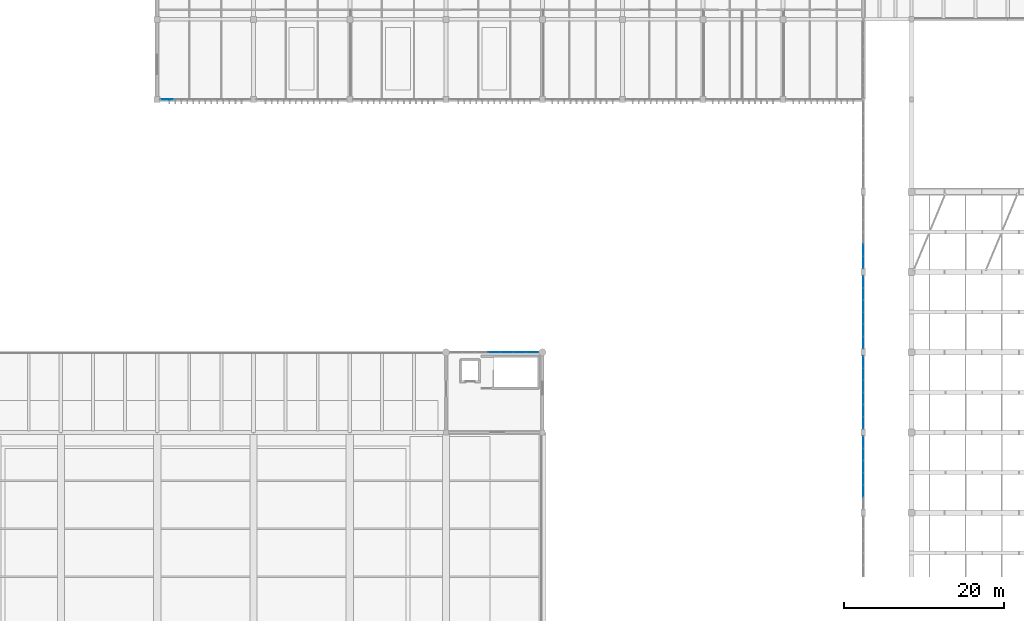
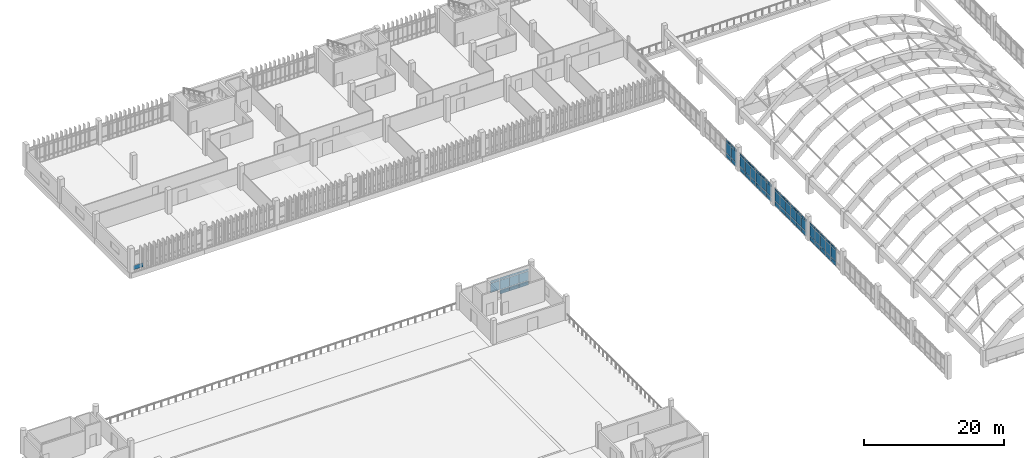
# One storey, part 92 of 111: 69 plates, 6 elements without a shape of their own.
"""IFC4 building model written with IfcOpenShell, lengths in metres."""

from ifc_helpers import new_model, si_unit, direction, frame, origin, origin_2d, place, context, subcontext, project, spatial, rectangle, extrude, material, layer, layer_set, type_object, element, aggregate, save


model = new_model("IFC4")

# Units and contexts
model_context = context("Model", 3, precision=1e-05, world=origin(), true_north=direction((0.0, 1.0)))
body_context = subcontext(model_context, "Body", "Model", "MODEL_VIEW")
ifc_project = project(units=[si_unit("LENGTHUNIT", "METRE"), si_unit("AREAUNIT", "SQUARE_METRE"), si_unit("VOLUMEUNIT", "CUBIC_METRE"), si_unit("PLANEANGLEUNIT", "RADIAN"), si_unit("MASSUNIT", "GRAM", prefix="KILO")], contexts=[model_context])

# Site, building, storey
site_placement = place(None, origin())
site = spatial("IfcSite", under=ifc_project, at=site_placement, CompositionType="ELEMENT")
building_placement = place(site_placement, origin())
building = spatial("IfcBuilding", under=site, at=building_placement, Name="Mersad Railyard Sports Hall", CompositionType="ELEMENT")
storey_placement = place(building_placement, frame((0.0, 0.0, 9.0)))
storey = spatial("IfcBuildingStorey", under=building, at=storey_placement, Name="L02", CompositionType="ELEMENT", Elevation=9.0)

# Curtain wall, plates
ifc_material_1 = material(Name="Aluminium 6063-T6", Category="aluminium")
ifc_layer_1 = layer(ifc_material_1, 0.159912109375)
ifc_layer_set_1 = layer_set([ifc_layer_1], Name="Aluminium 6063-T6")
curtain_wall_type_1 = type_object("IfcCurtainWallType", Name="ARC-CW-CW06", PredefinedType="USERDEFINED", material=ifc_layer_set_1)
curtain_wall_1_placement = place(storey_placement, origin())
curtain_wall_1 = element("IfcCurtainWall", 1, at=curtain_wall_1_placement, inside=storey, type_object=curtain_wall_type_1, Name="Curtain wall CW06-0032", ObjectType="CURTAIN WALL", PredefinedType="USERDEFINED")
ifc_material_2 = material(Name="Solar-control glass", Category="glass")
ifc_layer_2 = layer(ifc_material_2, 0.028076171875)
ifc_layer_set_2 = layer_set([ifc_layer_2], Name="Solar-control glass")
plate_type = type_object("IfcPlateType", Name="ARC-CW-PNL01", PredefinedType="CURTAIN_PANEL", material=ifc_layer_set_2)
plate_1_placement = place(storey_placement, frame((85.0, 53.5, 0.89501953125), z_axis=(0.0, 0.0, 1.0), x_axis=(1.0, 0.0, 0.0)))
plate_1 = element("IfcPlate", 2, at=plate_1_placement, type_object=plate_type, Name="CW06 Glazed panel 4-2", PredefinedType="CURTAIN_PANEL", context=body_context, shape_type="SweptSolid", body=[
    extrude(rectangle(XDim=1.535888671875, YDim=0.028076171875, at=origin_2d()), origin(), (0.0, 0.0, 1.0), 1.610107421875),
])
plate_2_placement = place(storey_placement, frame((85.0, 53.5, 2.594970703125), z_axis=(0.0, 0.0, 1.0), x_axis=(1.0, 0.0, 0.0)))
plate_2 = element("IfcPlate", 3, at=plate_2_placement, type_object=plate_type, Name="CW06 Glazed panel 4-3", PredefinedType="CURTAIN_PANEL", context=body_context, shape_type="SweptSolid", body=[
    extrude(rectangle(XDim=1.535888671875, YDim=0.028076171875, at=origin_2d()), origin(), (0.0, 0.0, 1.0), 0.35009765625),
])
plate_3_placement = place(storey_placement, frame((86.580078125, 53.5, 0.0849609375), z_axis=(0.0, 0.0, 1.0), x_axis=(1.0, 0.0, 0.0)))
plate_3 = element("IfcPlate", 4, at=plate_3_placement, type_object=plate_type, Name="CW06 Glazed panel 5-1", PredefinedType="CURTAIN_PANEL", context=body_context, shape_type="SweptSolid", body=[
    extrude(rectangle(XDim=1.535888671875, YDim=0.028076171875, at=origin_2d()), origin(), (0.0, 0.0, 1.0), 0.719970703125),
])
plate_4_placement = place(storey_placement, frame((86.580078125, 53.5, 0.89501953125), z_axis=(0.0, 0.0, 1.0), x_axis=(1.0, 0.0, 0.0)))
plate_4 = element("IfcPlate", 5, at=plate_4_placement, type_object=plate_type, Name="CW06 Glazed panel 5-2", PredefinedType="CURTAIN_PANEL", context=body_context, shape_type="SweptSolid", body=[
    extrude(rectangle(XDim=1.535888671875, YDim=0.028076171875, at=origin_2d()), origin(), (0.0, 0.0, 1.0), 1.610107421875),
])
plate_5_placement = place(storey_placement, frame((86.580078125, 53.5, 2.594970703125), z_axis=(0.0, 0.0, 1.0), x_axis=(1.0, 0.0, 0.0)))
plate_5 = element("IfcPlate", 6, at=plate_5_placement, type_object=plate_type, Name="CW06 Glazed panel 5-3", PredefinedType="CURTAIN_PANEL", context=body_context, shape_type="SweptSolid", body=[
    extrude(rectangle(XDim=1.535888671875, YDim=0.028076171875, at=origin_2d()), origin(), (0.0, 0.0, 1.0), 0.35009765625),
])
plate_6_placement = place(storey_placement, frame((88.159912109375, 53.5, 0.0849609375), z_axis=(0.0, 0.0, 1.0), x_axis=(1.0, 0.0, 0.0)))
plate_6 = element("IfcPlate", 7, at=plate_6_placement, type_object=plate_type, Name="CW06 Glazed panel 6-1", PredefinedType="CURTAIN_PANEL", context=body_context, shape_type="SweptSolid", body=[
    extrude(rectangle(XDim=1.535888671875, YDim=0.028076171875, at=origin_2d()), origin(), (0.0, 0.0, 1.0), 0.719970703125),
])
plate_7_placement = place(storey_placement, frame((88.159912109375, 53.5, 0.89501953125), z_axis=(0.0, 0.0, 1.0), x_axis=(1.0, 0.0, 0.0)))
plate_7 = element("IfcPlate", 8, at=plate_7_placement, type_object=plate_type, Name="CW06 Glazed panel 6-2", PredefinedType="CURTAIN_PANEL", context=body_context, shape_type="SweptSolid", body=[
    extrude(rectangle(XDim=1.535888671875, YDim=0.028076171875, at=origin_2d()), origin(), (0.0, 0.0, 1.0), 1.610107421875),
])
plate_8_placement = place(storey_placement, frame((88.159912109375, 53.5, 2.594970703125), z_axis=(0.0, 0.0, 1.0), x_axis=(1.0, 0.0, 0.0)))
plate_8 = element("IfcPlate", 9, at=plate_8_placement, type_object=plate_type, Name="CW06 Glazed panel 6-3", PredefinedType="CURTAIN_PANEL", context=body_context, shape_type="SweptSolid", body=[
    extrude(rectangle(XDim=1.535888671875, YDim=0.028076171875, at=origin_2d()), origin(), (0.0, 0.0, 1.0), 0.35009765625),
])
plate_9_placement = place(storey_placement, frame((89.739990234375, 53.5, 0.0849609375), z_axis=(0.0, 0.0, 1.0), x_axis=(1.0, 0.0, 0.0)))
plate_9 = element("IfcPlate", 10, at=plate_9_placement, type_object=plate_type, Name="CW06 Glazed panel 7-1", PredefinedType="CURTAIN_PANEL", context=body_context, shape_type="SweptSolid", body=[
    extrude(rectangle(XDim=1.535888671875, YDim=0.028076171875, at=origin_2d()), origin(), (0.0, 0.0, 1.0), 0.719970703125),
])
plate_10_placement = place(storey_placement, frame((89.739990234375, 53.5, 0.89501953125), z_axis=(0.0, 0.0, 1.0), x_axis=(1.0, 0.0, 0.0)))
plate_10 = element("IfcPlate", 11, at=plate_10_placement, type_object=plate_type, Name="CW06 Glazed panel 7-2", PredefinedType="CURTAIN_PANEL", context=body_context, shape_type="SweptSolid", body=[
    extrude(rectangle(XDim=1.535888671875, YDim=0.028076171875, at=origin_2d()), origin(), (0.0, 0.0, 1.0), 1.610107421875),
])
plate_11_placement = place(storey_placement, frame((89.739990234375, 53.5, 2.594970703125), z_axis=(0.0, 0.0, 1.0), x_axis=(1.0, 0.0, 0.0)))
plate_11 = element("IfcPlate", 12, at=plate_11_placement, type_object=plate_type, Name="CW06 Glazed panel 7-3", PredefinedType="CURTAIN_PANEL", context=body_context, shape_type="SweptSolid", body=[
    extrude(rectangle(XDim=1.535888671875, YDim=0.028076171875, at=origin_2d()), origin(), (0.0, 0.0, 1.0), 0.35009765625),
])
aggregate(curtain_wall_1, [plate_1, plate_2, plate_3, plate_4, plate_5, plate_6, plate_7, plate_8, plate_9, plate_10, plate_11])

ifc_layer_3 = layer(ifc_material_1, 0.159912109375)
ifc_layer_set_3 = layer_set([ifc_layer_3], Name="Aluminium 6063-T6")
curtain_wall_type_2 = type_object("IfcCurtainWallType", Name="ARC-CW-CW18", PredefinedType="USERDEFINED", material=ifc_layer_set_3)
curtain_wall_2_placement = place(storey_placement, origin())
curtain_wall_2 = element("IfcCurtainWall", 13, at=curtain_wall_2_placement, inside=storey, type_object=curtain_wall_type_2, Name="Curtain wall CW18-0071", ObjectType="CURTAIN WALL", PredefinedType="USERDEFINED")
plate_12_placement = place(storey_placement, frame((131.0, 36.235107421875, 0.0849609375), z_axis=(0.0, 0.0, 1.0), x_axis=(0.0, 1.0, 0.0)))
plate_12 = element("IfcPlate", 14, at=plate_12_placement, type_object=plate_type, Name="CW18 Glazed panel 2-1", PredefinedType="CURTAIN_PANEL", context=body_context, shape_type="SweptSolid", body=[
    extrude(rectangle(XDim=1.466064453125, YDim=0.028076171875, at=origin_2d()), origin(), (0.0, 0.0, 1.0), 0.719970703125),
])
plate_13_placement = place(storey_placement, frame((131.0, 36.235107421875, 0.89501953125), z_axis=(0.0, 0.0, 1.0), x_axis=(0.0, 1.0, 0.0)))
plate_13 = element("IfcPlate", 15, at=plate_13_placement, type_object=plate_type, Name="CW18 Glazed panel 2-2", PredefinedType="CURTAIN_PANEL", context=body_context, shape_type="SweptSolid", body=[
    extrude(rectangle(XDim=1.466064453125, YDim=0.028076171875, at=origin_2d()), origin(), (0.0, 0.0, 1.0), 1.8798828125),
])
plate_14_placement = place(storey_placement, frame((131.0, 36.235107421875, 2.864990234375), z_axis=(0.0, 0.0, 1.0), x_axis=(0.0, 1.0, 0.0)))
plate_14 = element("IfcPlate", 16, at=plate_14_placement, type_object=plate_type, Name="CW18 Glazed panel 2-3", PredefinedType="CURTAIN_PANEL", context=body_context, shape_type="SweptSolid", body=[
    extrude(rectangle(XDim=1.466064453125, YDim=0.028076171875, at=origin_2d()), origin(), (0.0, 0.0, 1.0), 0.35009765625),
])
plate_15_placement = place(storey_placement, frame((131.0, 37.7451171875, 0.0849609375), z_axis=(0.0, 0.0, 1.0), x_axis=(0.0, 1.0, 0.0)))
plate_15 = element("IfcPlate", 17, at=plate_15_placement, type_object=plate_type, Name="CW18 Glazed panel 3-1", PredefinedType="CURTAIN_PANEL", context=body_context, shape_type="SweptSolid", body=[
    extrude(rectangle(XDim=1.466064453125, YDim=0.028076171875, at=origin_2d()), origin(), (0.0, 0.0, 1.0), 0.719970703125),
])
plate_16_placement = place(storey_placement, frame((131.0, 37.7451171875, 0.89501953125), z_axis=(0.0, 0.0, 1.0), x_axis=(0.0, 1.0, 0.0)))
plate_16 = element("IfcPlate", 18, at=plate_16_placement, type_object=plate_type, Name="CW18 Glazed panel 3-2", PredefinedType="CURTAIN_PANEL", context=body_context, shape_type="SweptSolid", body=[
    extrude(rectangle(XDim=1.466064453125, YDim=0.028076171875, at=origin_2d()), origin(), (0.0, 0.0, 1.0), 1.8798828125),
])
plate_17_placement = place(storey_placement, frame((131.0, 37.7451171875, 2.864990234375), z_axis=(0.0, 0.0, 1.0), x_axis=(0.0, 1.0, 0.0)))
plate_17 = element("IfcPlate", 19, at=plate_17_placement, type_object=plate_type, Name="CW18 Glazed panel 3-3", PredefinedType="CURTAIN_PANEL", context=body_context, shape_type="SweptSolid", body=[
    extrude(rectangle(XDim=1.466064453125, YDim=0.028076171875, at=origin_2d()), origin(), (0.0, 0.0, 1.0), 0.35009765625),
])
plate_18_placement = place(storey_placement, frame((131.0, 39.2548828125, 0.0849609375), z_axis=(0.0, 0.0, 1.0), x_axis=(0.0, 1.0, 0.0)))
plate_18 = element("IfcPlate", 20, at=plate_18_placement, type_object=plate_type, Name="CW18 Glazed panel 4-1", PredefinedType="CURTAIN_PANEL", context=body_context, shape_type="SweptSolid", body=[
    extrude(rectangle(XDim=1.466064453125, YDim=0.028076171875, at=origin_2d()), origin(), (0.0, 0.0, 1.0), 0.719970703125),
])
plate_19_placement = place(storey_placement, frame((131.0, 39.2548828125, 0.89501953125), z_axis=(0.0, 0.0, 1.0), x_axis=(0.0, 1.0, 0.0)))
plate_19 = element("IfcPlate", 21, at=plate_19_placement, type_object=plate_type, Name="CW18 Glazed panel 4-2", PredefinedType="CURTAIN_PANEL", context=body_context, shape_type="SweptSolid", body=[
    extrude(rectangle(XDim=1.466064453125, YDim=0.028076171875, at=origin_2d()), origin(), (0.0, 0.0, 1.0), 1.8798828125),
])
plate_20_placement = place(storey_placement, frame((131.0, 39.2548828125, 2.864990234375), z_axis=(0.0, 0.0, 1.0), x_axis=(0.0, 1.0, 0.0)))
plate_20 = element("IfcPlate", 22, at=plate_20_placement, type_object=plate_type, Name="CW18 Glazed panel 4-3", PredefinedType="CURTAIN_PANEL", context=body_context, shape_type="SweptSolid", body=[
    extrude(rectangle(XDim=1.466064453125, YDim=0.028076171875, at=origin_2d()), origin(), (0.0, 0.0, 1.0), 0.35009765625),
])
plate_21_placement = place(storey_placement, frame((131.0, 40.764892578125, 0.0849609375), z_axis=(0.0, 0.0, 1.0), x_axis=(0.0, 1.0, 0.0)))
plate_21 = element("IfcPlate", 23, at=plate_21_placement, type_object=plate_type, Name="CW18 Glazed panel 5-1", PredefinedType="CURTAIN_PANEL", context=body_context, shape_type="SweptSolid", body=[
    extrude(rectangle(XDim=1.466064453125, YDim=0.028076171875, at=origin_2d()), origin(), (0.0, 0.0, 1.0), 0.719970703125),
])
plate_22_placement = place(storey_placement, frame((131.0, 40.764892578125, 0.89501953125), z_axis=(0.0, 0.0, 1.0), x_axis=(0.0, 1.0, 0.0)))
plate_22 = element("IfcPlate", 24, at=plate_22_placement, type_object=plate_type, Name="CW18 Glazed panel 5-2", PredefinedType="CURTAIN_PANEL", context=body_context, shape_type="SweptSolid", body=[
    extrude(rectangle(XDim=1.466064453125, YDim=0.028076171875, at=origin_2d()), origin(), (0.0, 0.0, 1.0), 1.8798828125),
])
plate_23_placement = place(storey_placement, frame((131.0, 40.764892578125, 2.864990234375), z_axis=(0.0, 0.0, 1.0), x_axis=(0.0, 1.0, 0.0)))
plate_23 = element("IfcPlate", 25, at=plate_23_placement, type_object=plate_type, Name="CW18 Glazed panel 5-3", PredefinedType="CURTAIN_PANEL", context=body_context, shape_type="SweptSolid", body=[
    extrude(rectangle(XDim=1.466064453125, YDim=0.028076171875, at=origin_2d()), origin(), (0.0, 0.0, 1.0), 0.35009765625),
])
plate_24_placement = place(storey_placement, frame((131.0, 42.27490234375, 0.0849609375), z_axis=(0.0, 0.0, 1.0), x_axis=(0.0, 1.0, 0.0)))
plate_24 = element("IfcPlate", 26, at=plate_24_placement, type_object=plate_type, Name="CW18 Glazed panel 6-1", PredefinedType="CURTAIN_PANEL", context=body_context, shape_type="SweptSolid", body=[
    extrude(rectangle(XDim=1.466064453125, YDim=0.028076171875, at=origin_2d()), origin(), (0.0, 0.0, 1.0), 0.719970703125),
])
plate_25_placement = place(storey_placement, frame((131.0, 42.27490234375, 0.89501953125), z_axis=(0.0, 0.0, 1.0), x_axis=(0.0, 1.0, 0.0)))
plate_25 = element("IfcPlate", 27, at=plate_25_placement, type_object=plate_type, Name="CW18 Glazed panel 6-2", PredefinedType="CURTAIN_PANEL", context=body_context, shape_type="SweptSolid", body=[
    extrude(rectangle(XDim=1.466064453125, YDim=0.028076171875, at=origin_2d()), origin(), (0.0, 0.0, 1.0), 1.8798828125),
])
plate_26_placement = place(storey_placement, frame((131.0, 42.27490234375, 2.864990234375), z_axis=(0.0, 0.0, 1.0), x_axis=(0.0, 1.0, 0.0)))
plate_26 = element("IfcPlate", 28, at=plate_26_placement, type_object=plate_type, Name="CW18 Glazed panel 6-3", PredefinedType="CURTAIN_PANEL", context=body_context, shape_type="SweptSolid", body=[
    extrude(rectangle(XDim=1.466064453125, YDim=0.028076171875, at=origin_2d()), origin(), (0.0, 0.0, 1.0), 0.35009765625),
])
aggregate(curtain_wall_2, [plate_12, plate_13, plate_14, plate_15, plate_16, plate_17, plate_18, plate_19, plate_20, plate_21, plate_22, plate_23, plate_24, plate_25, plate_26])

ifc_layer_4 = layer(ifc_material_1, 0.159912109375)
ifc_layer_set_4 = layer_set([ifc_layer_4], Name="Aluminium 6063-T6")
curtain_wall_type_3 = type_object("IfcCurtainWallType", Name="ARC-CW-CW15", PredefinedType="USERDEFINED", material=ifc_layer_set_4)
curtain_wall_3_placement = place(storey_placement, origin())
curtain_wall_3 = element("IfcCurtainWall", 29, at=curtain_wall_3_placement, inside=storey, type_object=curtain_wall_type_3, Name="Curtain wall CW15-0073", ObjectType="CURTAIN WALL", PredefinedType="USERDEFINED")
plate_27_placement = place(storey_placement, frame((131.0, 44.72509765625, 0.0849609375), z_axis=(0.0, 0.0, 1.0), x_axis=(0.0, 1.0, 0.0)))
plate_27 = element("IfcPlate", 30, at=plate_27_placement, type_object=plate_type, Name="CW15 Glazed panel 1-1", PredefinedType="CURTAIN_PANEL", context=body_context, shape_type="SweptSolid", body=[
    extrude(rectangle(XDim=1.466064453125, YDim=0.028076171875, at=origin_2d()), origin(), (0.0, 0.0, 1.0), 0.719970703125),
])
plate_28_placement = place(storey_placement, frame((131.0, 44.72509765625, 0.89501953125), z_axis=(0.0, 0.0, 1.0), x_axis=(0.0, 1.0, 0.0)))
plate_28 = element("IfcPlate", 31, at=plate_28_placement, type_object=plate_type, Name="CW15 Glazed panel 1-2", PredefinedType="CURTAIN_PANEL", context=body_context, shape_type="SweptSolid", body=[
    extrude(rectangle(XDim=1.466064453125, YDim=0.028076171875, at=origin_2d()), origin(), (0.0, 0.0, 1.0), 1.760009765625),
])
plate_29_placement = place(storey_placement, frame((131.0, 44.72509765625, 2.744873046875), z_axis=(0.0, 0.0, 1.0), x_axis=(0.0, 1.0, 0.0)))
plate_29 = element("IfcPlate", 32, at=plate_29_placement, type_object=plate_type, Name="CW15 Glazed panel 1-3", PredefinedType="CURTAIN_PANEL", context=body_context, shape_type="SweptSolid", body=[
    extrude(rectangle(XDim=1.466064453125, YDim=0.028076171875, at=origin_2d()), origin(), (0.0, 0.0, 1.0), 0.35009765625),
])
plate_30_placement = place(storey_placement, frame((131.0, 46.235107421875, 0.0849609375), z_axis=(0.0, 0.0, 1.0), x_axis=(0.0, 1.0, 0.0)))
plate_30 = element("IfcPlate", 33, at=plate_30_placement, type_object=plate_type, Name="CW15 Glazed panel 2-1", PredefinedType="CURTAIN_PANEL", context=body_context, shape_type="SweptSolid", body=[
    extrude(rectangle(XDim=1.466064453125, YDim=0.028076171875, at=origin_2d()), origin(), (0.0, 0.0, 1.0), 0.719970703125),
])
plate_31_placement = place(storey_placement, frame((131.0, 46.235107421875, 0.89501953125), z_axis=(0.0, 0.0, 1.0), x_axis=(0.0, 1.0, 0.0)))
plate_31 = element("IfcPlate", 34, at=plate_31_placement, type_object=plate_type, Name="CW15 Glazed panel 2-2", PredefinedType="CURTAIN_PANEL", context=body_context, shape_type="SweptSolid", body=[
    extrude(rectangle(XDim=1.466064453125, YDim=0.028076171875, at=origin_2d()), origin(), (0.0, 0.0, 1.0), 1.760009765625),
])
plate_32_placement = place(storey_placement, frame((131.0, 46.235107421875, 2.744873046875), z_axis=(0.0, 0.0, 1.0), x_axis=(0.0, 1.0, 0.0)))
plate_32 = element("IfcPlate", 35, at=plate_32_placement, type_object=plate_type, Name="CW15 Glazed panel 2-3", PredefinedType="CURTAIN_PANEL", context=body_context, shape_type="SweptSolid", body=[
    extrude(rectangle(XDim=1.466064453125, YDim=0.028076171875, at=origin_2d()), origin(), (0.0, 0.0, 1.0), 0.35009765625),
])
plate_33_placement = place(storey_placement, frame((131.0, 47.7451171875, 0.0849609375), z_axis=(0.0, 0.0, 1.0), x_axis=(0.0, 1.0, 0.0)))
plate_33 = element("IfcPlate", 36, at=plate_33_placement, type_object=plate_type, Name="CW15 Glazed panel 3-1", PredefinedType="CURTAIN_PANEL", context=body_context, shape_type="SweptSolid", body=[
    extrude(rectangle(XDim=1.466064453125, YDim=0.028076171875, at=origin_2d()), origin(), (0.0, 0.0, 1.0), 0.719970703125),
])
plate_34_placement = place(storey_placement, frame((131.0, 47.7451171875, 0.89501953125), z_axis=(0.0, 0.0, 1.0), x_axis=(0.0, 1.0, 0.0)))
plate_34 = element("IfcPlate", 37, at=plate_34_placement, type_object=plate_type, Name="CW15 Glazed panel 3-2", PredefinedType="CURTAIN_PANEL", context=body_context, shape_type="SweptSolid", body=[
    extrude(rectangle(XDim=1.466064453125, YDim=0.028076171875, at=origin_2d()), origin(), (0.0, 0.0, 1.0), 1.760009765625),
])
plate_35_placement = place(storey_placement, frame((131.0, 47.7451171875, 2.744873046875), z_axis=(0.0, 0.0, 1.0), x_axis=(0.0, 1.0, 0.0)))
plate_35 = element("IfcPlate", 38, at=plate_35_placement, type_object=plate_type, Name="CW15 Glazed panel 3-3", PredefinedType="CURTAIN_PANEL", context=body_context, shape_type="SweptSolid", body=[
    extrude(rectangle(XDim=1.466064453125, YDim=0.028076171875, at=origin_2d()), origin(), (0.0, 0.0, 1.0), 0.35009765625),
])
plate_36_placement = place(storey_placement, frame((131.0, 49.2548828125, 0.0849609375), z_axis=(0.0, 0.0, 1.0), x_axis=(0.0, 1.0, 0.0)))
plate_36 = element("IfcPlate", 39, at=plate_36_placement, type_object=plate_type, Name="CW15 Glazed panel 4-1", PredefinedType="CURTAIN_PANEL", context=body_context, shape_type="SweptSolid", body=[
    extrude(rectangle(XDim=1.466064453125, YDim=0.028076171875, at=origin_2d()), origin(), (0.0, 0.0, 1.0), 0.719970703125),
])
plate_37_placement = place(storey_placement, frame((131.0, 49.2548828125, 0.89501953125), z_axis=(0.0, 0.0, 1.0), x_axis=(0.0, 1.0, 0.0)))
plate_37 = element("IfcPlate", 40, at=plate_37_placement, type_object=plate_type, Name="CW15 Glazed panel 4-2", PredefinedType="CURTAIN_PANEL", context=body_context, shape_type="SweptSolid", body=[
    extrude(rectangle(XDim=1.466064453125, YDim=0.028076171875, at=origin_2d()), origin(), (0.0, 0.0, 1.0), 1.760009765625),
])
plate_38_placement = place(storey_placement, frame((131.0, 49.2548828125, 2.744873046875), z_axis=(0.0, 0.0, 1.0), x_axis=(0.0, 1.0, 0.0)))
plate_38 = element("IfcPlate", 41, at=plate_38_placement, type_object=plate_type, Name="CW15 Glazed panel 4-3", PredefinedType="CURTAIN_PANEL", context=body_context, shape_type="SweptSolid", body=[
    extrude(rectangle(XDim=1.466064453125, YDim=0.028076171875, at=origin_2d()), origin(), (0.0, 0.0, 1.0), 0.35009765625),
])
plate_39_placement = place(storey_placement, frame((131.0, 50.764892578125, 0.0849609375), z_axis=(0.0, 0.0, 1.0), x_axis=(0.0, 1.0, 0.0)))
plate_39 = element("IfcPlate", 42, at=plate_39_placement, type_object=plate_type, Name="CW15 Glazed panel 5-1", PredefinedType="CURTAIN_PANEL", context=body_context, shape_type="SweptSolid", body=[
    extrude(rectangle(XDim=1.466064453125, YDim=0.028076171875, at=origin_2d()), origin(), (0.0, 0.0, 1.0), 0.719970703125),
])
plate_40_placement = place(storey_placement, frame((131.0, 50.764892578125, 0.89501953125), z_axis=(0.0, 0.0, 1.0), x_axis=(0.0, 1.0, 0.0)))
plate_40 = element("IfcPlate", 43, at=plate_40_placement, type_object=plate_type, Name="CW15 Glazed panel 5-2", PredefinedType="CURTAIN_PANEL", context=body_context, shape_type="SweptSolid", body=[
    extrude(rectangle(XDim=1.466064453125, YDim=0.028076171875, at=origin_2d()), origin(), (0.0, 0.0, 1.0), 1.760009765625),
])
plate_41_placement = place(storey_placement, frame((131.0, 50.764892578125, 2.744873046875), z_axis=(0.0, 0.0, 1.0), x_axis=(0.0, 1.0, 0.0)))
plate_41 = element("IfcPlate", 44, at=plate_41_placement, type_object=plate_type, Name="CW15 Glazed panel 5-3", PredefinedType="CURTAIN_PANEL", context=body_context, shape_type="SweptSolid", body=[
    extrude(rectangle(XDim=1.466064453125, YDim=0.028076171875, at=origin_2d()), origin(), (0.0, 0.0, 1.0), 0.35009765625),
])
plate_42_placement = place(storey_placement, frame((131.0, 52.27490234375, 0.0849609375), z_axis=(0.0, 0.0, 1.0), x_axis=(0.0, 1.0, 0.0)))
plate_42 = element("IfcPlate", 45, at=plate_42_placement, type_object=plate_type, Name="CW15 Glazed panel 6-1", PredefinedType="CURTAIN_PANEL", context=body_context, shape_type="SweptSolid", body=[
    extrude(rectangle(XDim=1.466064453125, YDim=0.028076171875, at=origin_2d()), origin(), (0.0, 0.0, 1.0), 0.719970703125),
])
plate_43_placement = place(storey_placement, frame((131.0, 52.27490234375, 0.89501953125), z_axis=(0.0, 0.0, 1.0), x_axis=(0.0, 1.0, 0.0)))
plate_43 = element("IfcPlate", 46, at=plate_43_placement, type_object=plate_type, Name="CW15 Glazed panel 6-2", PredefinedType="CURTAIN_PANEL", context=body_context, shape_type="SweptSolid", body=[
    extrude(rectangle(XDim=1.466064453125, YDim=0.028076171875, at=origin_2d()), origin(), (0.0, 0.0, 1.0), 1.760009765625),
])
plate_44_placement = place(storey_placement, frame((131.0, 52.27490234375, 2.744873046875), z_axis=(0.0, 0.0, 1.0), x_axis=(0.0, 1.0, 0.0)))
plate_44 = element("IfcPlate", 47, at=plate_44_placement, type_object=plate_type, Name="CW15 Glazed panel 6-3", PredefinedType="CURTAIN_PANEL", context=body_context, shape_type="SweptSolid", body=[
    extrude(rectangle(XDim=1.466064453125, YDim=0.028076171875, at=origin_2d()), origin(), (0.0, 0.0, 1.0), 0.35009765625),
])
aggregate(curtain_wall_3, [plate_27, plate_28, plate_29, plate_30, plate_31, plate_32, plate_33, plate_34, plate_35, plate_36, plate_37, plate_38, plate_39, plate_40, plate_41, plate_42, plate_43, plate_44])

ifc_layer_5 = layer(ifc_material_1, 0.159912109375)
ifc_layer_set_5 = layer_set([ifc_layer_5], Name="Aluminium 6063-T6")
curtain_wall_type_4 = type_object("IfcCurtainWallType", Name="ARC-CW-CW16", PredefinedType="USERDEFINED", material=ifc_layer_set_5)
curtain_wall_4_placement = place(storey_placement, origin())
curtain_wall_4 = element("IfcCurtainWall", 48, at=curtain_wall_4_placement, inside=storey, type_object=curtain_wall_type_4, Name="Curtain wall CW16-0075", ObjectType="CURTAIN WALL", PredefinedType="USERDEFINED")
plate_45_placement = place(storey_placement, frame((131.0, 54.72509765625, 0.0849609375), z_axis=(0.0, 0.0, 1.0), x_axis=(0.0, 1.0, 0.0)))
plate_45 = element("IfcPlate", 49, at=plate_45_placement, type_object=plate_type, Name="CW16 Glazed panel 1-1", PredefinedType="CURTAIN_PANEL", context=body_context, shape_type="SweptSolid", body=[
    extrude(rectangle(XDim=1.466064453125, YDim=0.028076171875, at=origin_2d()), origin(), (0.0, 0.0, 1.0), 0.719970703125),
])
plate_46_placement = place(storey_placement, frame((131.0, 54.72509765625, 0.89501953125), z_axis=(0.0, 0.0, 1.0), x_axis=(0.0, 1.0, 0.0)))
plate_46 = element("IfcPlate", 50, at=plate_46_placement, type_object=plate_type, Name="CW16 Glazed panel 1-2", PredefinedType="CURTAIN_PANEL", context=body_context, shape_type="SweptSolid", body=[
    extrude(rectangle(XDim=1.466064453125, YDim=0.028076171875, at=origin_2d()), origin(), (0.0, 0.0, 1.0), 1.800048828125),
])
plate_47_placement = place(storey_placement, frame((131.0, 54.72509765625, 2.784912109375), z_axis=(0.0, 0.0, 1.0), x_axis=(0.0, 1.0, 0.0)))
plate_47 = element("IfcPlate", 51, at=plate_47_placement, type_object=plate_type, Name="CW16 Glazed panel 1-3", PredefinedType="CURTAIN_PANEL", context=body_context, shape_type="SweptSolid", body=[
    extrude(rectangle(XDim=1.466064453125, YDim=0.028076171875, at=origin_2d()), origin(), (0.0, 0.0, 1.0), 0.35009765625),
])
plate_48_placement = place(storey_placement, frame((131.0, 56.235107421875, 0.0849609375), z_axis=(0.0, 0.0, 1.0), x_axis=(0.0, 1.0, 0.0)))
plate_48 = element("IfcPlate", 52, at=plate_48_placement, type_object=plate_type, Name="CW16 Glazed panel 2-1", PredefinedType="CURTAIN_PANEL", context=body_context, shape_type="SweptSolid", body=[
    extrude(rectangle(XDim=1.466064453125, YDim=0.028076171875, at=origin_2d()), origin(), (0.0, 0.0, 1.0), 0.719970703125),
])
plate_49_placement = place(storey_placement, frame((131.0, 56.235107421875, 0.89501953125), z_axis=(0.0, 0.0, 1.0), x_axis=(0.0, 1.0, 0.0)))
plate_49 = element("IfcPlate", 53, at=plate_49_placement, type_object=plate_type, Name="CW16 Glazed panel 2-2", PredefinedType="CURTAIN_PANEL", context=body_context, shape_type="SweptSolid", body=[
    extrude(rectangle(XDim=1.466064453125, YDim=0.028076171875, at=origin_2d()), origin(), (0.0, 0.0, 1.0), 1.800048828125),
])
plate_50_placement = place(storey_placement, frame((131.0, 56.235107421875, 2.784912109375), z_axis=(0.0, 0.0, 1.0), x_axis=(0.0, 1.0, 0.0)))
plate_50 = element("IfcPlate", 54, at=plate_50_placement, type_object=plate_type, Name="CW16 Glazed panel 2-3", PredefinedType="CURTAIN_PANEL", context=body_context, shape_type="SweptSolid", body=[
    extrude(rectangle(XDim=1.466064453125, YDim=0.028076171875, at=origin_2d()), origin(), (0.0, 0.0, 1.0), 0.35009765625),
])
plate_51_placement = place(storey_placement, frame((131.0, 57.7451171875, 0.0849609375), z_axis=(0.0, 0.0, 1.0), x_axis=(0.0, 1.0, 0.0)))
plate_51 = element("IfcPlate", 55, at=plate_51_placement, type_object=plate_type, Name="CW16 Glazed panel 3-1", PredefinedType="CURTAIN_PANEL", context=body_context, shape_type="SweptSolid", body=[
    extrude(rectangle(XDim=1.466064453125, YDim=0.028076171875, at=origin_2d()), origin(), (0.0, 0.0, 1.0), 0.719970703125),
])
plate_52_placement = place(storey_placement, frame((131.0, 57.7451171875, 0.89501953125), z_axis=(0.0, 0.0, 1.0), x_axis=(0.0, 1.0, 0.0)))
plate_52 = element("IfcPlate", 56, at=plate_52_placement, type_object=plate_type, Name="CW16 Glazed panel 3-2", PredefinedType="CURTAIN_PANEL", context=body_context, shape_type="SweptSolid", body=[
    extrude(rectangle(XDim=1.466064453125, YDim=0.028076171875, at=origin_2d()), origin(), (0.0, 0.0, 1.0), 1.800048828125),
])
plate_53_placement = place(storey_placement, frame((131.0, 57.7451171875, 2.784912109375), z_axis=(0.0, 0.0, 1.0), x_axis=(0.0, 1.0, 0.0)))
plate_53 = element("IfcPlate", 57, at=plate_53_placement, type_object=plate_type, Name="CW16 Glazed panel 3-3", PredefinedType="CURTAIN_PANEL", context=body_context, shape_type="SweptSolid", body=[
    extrude(rectangle(XDim=1.466064453125, YDim=0.028076171875, at=origin_2d()), origin(), (0.0, 0.0, 1.0), 0.35009765625),
])
plate_54_placement = place(storey_placement, frame((131.0, 59.2548828125, 0.0849609375), z_axis=(0.0, 0.0, 1.0), x_axis=(0.0, 1.0, 0.0)))
plate_54 = element("IfcPlate", 58, at=plate_54_placement, type_object=plate_type, Name="CW16 Glazed panel 4-1", PredefinedType="CURTAIN_PANEL", context=body_context, shape_type="SweptSolid", body=[
    extrude(rectangle(XDim=1.466064453125, YDim=0.028076171875, at=origin_2d()), origin(), (0.0, 0.0, 1.0), 0.719970703125),
])
plate_55_placement = place(storey_placement, frame((131.0, 59.2548828125, 0.89501953125), z_axis=(0.0, 0.0, 1.0), x_axis=(0.0, 1.0, 0.0)))
plate_55 = element("IfcPlate", 59, at=plate_55_placement, type_object=plate_type, Name="CW16 Glazed panel 4-2", PredefinedType="CURTAIN_PANEL", context=body_context, shape_type="SweptSolid", body=[
    extrude(rectangle(XDim=1.466064453125, YDim=0.028076171875, at=origin_2d()), origin(), (0.0, 0.0, 1.0), 1.800048828125),
])
plate_56_placement = place(storey_placement, frame((131.0, 59.2548828125, 2.784912109375), z_axis=(0.0, 0.0, 1.0), x_axis=(0.0, 1.0, 0.0)))
plate_56 = element("IfcPlate", 60, at=plate_56_placement, type_object=plate_type, Name="CW16 Glazed panel 4-3", PredefinedType="CURTAIN_PANEL", context=body_context, shape_type="SweptSolid", body=[
    extrude(rectangle(XDim=1.466064453125, YDim=0.028076171875, at=origin_2d()), origin(), (0.0, 0.0, 1.0), 0.35009765625),
])
plate_57_placement = place(storey_placement, frame((131.0, 60.764892578125, 0.0849609375), z_axis=(0.0, 0.0, 1.0), x_axis=(0.0, 1.0, 0.0)))
plate_57 = element("IfcPlate", 61, at=plate_57_placement, type_object=plate_type, Name="CW16 Glazed panel 5-1", PredefinedType="CURTAIN_PANEL", context=body_context, shape_type="SweptSolid", body=[
    extrude(rectangle(XDim=1.466064453125, YDim=0.028076171875, at=origin_2d()), origin(), (0.0, 0.0, 1.0), 0.719970703125),
])
plate_58_placement = place(storey_placement, frame((131.0, 60.764892578125, 0.89501953125), z_axis=(0.0, 0.0, 1.0), x_axis=(0.0, 1.0, 0.0)))
plate_58 = element("IfcPlate", 62, at=plate_58_placement, type_object=plate_type, Name="CW16 Glazed panel 5-2", PredefinedType="CURTAIN_PANEL", context=body_context, shape_type="SweptSolid", body=[
    extrude(rectangle(XDim=1.466064453125, YDim=0.028076171875, at=origin_2d()), origin(), (0.0, 0.0, 1.0), 1.800048828125),
])
plate_59_placement = place(storey_placement, frame((131.0, 60.764892578125, 2.784912109375), z_axis=(0.0, 0.0, 1.0), x_axis=(0.0, 1.0, 0.0)))
plate_59 = element("IfcPlate", 63, at=plate_59_placement, type_object=plate_type, Name="CW16 Glazed panel 5-3", PredefinedType="CURTAIN_PANEL", context=body_context, shape_type="SweptSolid", body=[
    extrude(rectangle(XDim=1.466064453125, YDim=0.028076171875, at=origin_2d()), origin(), (0.0, 0.0, 1.0), 0.35009765625),
])
plate_60_placement = place(storey_placement, frame((131.0, 62.27490234375, 0.0849609375), z_axis=(0.0, 0.0, 1.0), x_axis=(0.0, 1.0, 0.0)))
plate_60 = element("IfcPlate", 64, at=plate_60_placement, type_object=plate_type, Name="CW16 Glazed panel 6-1", PredefinedType="CURTAIN_PANEL", context=body_context, shape_type="SweptSolid", body=[
    extrude(rectangle(XDim=1.466064453125, YDim=0.028076171875, at=origin_2d()), origin(), (0.0, 0.0, 1.0), 0.719970703125),
])
plate_61_placement = place(storey_placement, frame((131.0, 62.27490234375, 0.89501953125), z_axis=(0.0, 0.0, 1.0), x_axis=(0.0, 1.0, 0.0)))
plate_61 = element("IfcPlate", 65, at=plate_61_placement, type_object=plate_type, Name="CW16 Glazed panel 6-2", PredefinedType="CURTAIN_PANEL", context=body_context, shape_type="SweptSolid", body=[
    extrude(rectangle(XDim=1.466064453125, YDim=0.028076171875, at=origin_2d()), origin(), (0.0, 0.0, 1.0), 1.800048828125),
])
plate_62_placement = place(storey_placement, frame((131.0, 62.27490234375, 2.784912109375), z_axis=(0.0, 0.0, 1.0), x_axis=(0.0, 1.0, 0.0)))
plate_62 = element("IfcPlate", 66, at=plate_62_placement, type_object=plate_type, Name="CW16 Glazed panel 6-3", PredefinedType="CURTAIN_PANEL", context=body_context, shape_type="SweptSolid", body=[
    extrude(rectangle(XDim=1.466064453125, YDim=0.028076171875, at=origin_2d()), origin(), (0.0, 0.0, 1.0), 0.35009765625),
])
aggregate(curtain_wall_4, [plate_45, plate_46, plate_47, plate_48, plate_49, plate_50, plate_51, plate_52, plate_53, plate_54, plate_55, plate_56, plate_57, plate_58, plate_59, plate_60, plate_61, plate_62])

ifc_layer_6 = layer(ifc_material_1, 0.159912109375)
ifc_layer_set_6 = layer_set([ifc_layer_6], Name="Aluminium 6063-T6")
curtain_wall_type_5 = type_object("IfcCurtainWallType", Name="ARC-CW-CW17", PredefinedType="USERDEFINED", material=ifc_layer_set_6)
curtain_wall_5_placement = place(storey_placement, origin())
curtain_wall_5 = element("IfcCurtainWall", 67, at=curtain_wall_5_placement, inside=storey, type_object=curtain_wall_type_5, Name="Curtain wall CW17-0077", ObjectType="CURTAIN WALL", PredefinedType="USERDEFINED")
plate_63_placement = place(storey_placement, frame((131.0, 64.72509765625, 0.0849609375), z_axis=(0.0, 0.0, 1.0), x_axis=(0.0, 1.0, 0.0)))
plate_63 = element("IfcPlate", 68, at=plate_63_placement, type_object=plate_type, Name="CW17 Glazed panel 1-1", PredefinedType="CURTAIN_PANEL", context=body_context, shape_type="SweptSolid", body=[
    extrude(rectangle(XDim=1.466064453125, YDim=0.028076171875, at=origin_2d()), origin(), (0.0, 0.0, 1.0), 0.719970703125),
])
plate_64_placement = place(storey_placement, frame((131.0, 64.72509765625, 0.89501953125), z_axis=(0.0, 0.0, 1.0), x_axis=(0.0, 1.0, 0.0)))
plate_64 = element("IfcPlate", 69, at=plate_64_placement, type_object=plate_type, Name="CW17 Glazed panel 1-2", PredefinedType="CURTAIN_PANEL", context=body_context, shape_type="SweptSolid", body=[
    extrude(rectangle(XDim=1.466064453125, YDim=0.028076171875, at=origin_2d()), origin(), (0.0, 0.0, 1.0), 1.840087890625),
])
plate_65_placement = place(storey_placement, frame((131.0, 64.72509765625, 2.824951171875), z_axis=(0.0, 0.0, 1.0), x_axis=(0.0, 1.0, 0.0)))
plate_65 = element("IfcPlate", 70, at=plate_65_placement, type_object=plate_type, Name="CW17 Glazed panel 1-3", PredefinedType="CURTAIN_PANEL", context=body_context, shape_type="SweptSolid", body=[
    extrude(rectangle(XDim=1.466064453125, YDim=0.028076171875, at=origin_2d()), origin(), (0.0, 0.0, 1.0), 0.35009765625),
])
plate_66_placement = place(storey_placement, frame((131.0, 66.235107421875, 0.0849609375), z_axis=(0.0, 0.0, 1.0), x_axis=(0.0, 1.0, 0.0)))
plate_66 = element("IfcPlate", 71, at=plate_66_placement, type_object=plate_type, Name="CW17 Glazed panel 2-1", PredefinedType="CURTAIN_PANEL", context=body_context, shape_type="SweptSolid", body=[
    extrude(rectangle(XDim=1.466064453125, YDim=0.028076171875, at=origin_2d()), origin(), (0.0, 0.0, 1.0), 0.719970703125),
])
plate_67_placement = place(storey_placement, frame((131.0, 66.235107421875, 0.89501953125), z_axis=(0.0, 0.0, 1.0), x_axis=(0.0, 1.0, 0.0)))
plate_67 = element("IfcPlate", 72, at=plate_67_placement, type_object=plate_type, Name="CW17 Glazed panel 2-2", PredefinedType="CURTAIN_PANEL", context=body_context, shape_type="SweptSolid", body=[
    extrude(rectangle(XDim=1.466064453125, YDim=0.028076171875, at=origin_2d()), origin(), (0.0, 0.0, 1.0), 1.840087890625),
])
plate_68_placement = place(storey_placement, frame((131.0, 66.235107421875, 2.824951171875), z_axis=(0.0, 0.0, 1.0), x_axis=(0.0, 1.0, 0.0)))
plate_68 = element("IfcPlate", 73, at=plate_68_placement, type_object=plate_type, Name="CW17 Glazed panel 2-3", PredefinedType="CURTAIN_PANEL", context=body_context, shape_type="SweptSolid", body=[
    extrude(rectangle(XDim=1.466064453125, YDim=0.028076171875, at=origin_2d()), origin(), (0.0, 0.0, 1.0), 0.35009765625),
])
aggregate(curtain_wall_5, [plate_63, plate_64, plate_65, plate_66, plate_67, plate_68])

# Curtain wall, plate
ifc_layer_7 = layer(ifc_material_1, 0.159912109375)
ifc_layer_set_7 = layer_set([ifc_layer_7], Name="Aluminium 6063-T6")
curtain_wall_type_6 = type_object("IfcCurtainWallType", Name="ARC-CW-CW54", PredefinedType="USERDEFINED", material=ifc_layer_set_7)
curtain_wall_6_placement = place(storey_placement, origin())
curtain_wall_6 = element("IfcCurtainWall", 74, at=curtain_wall_6_placement, inside=storey, type_object=curtain_wall_type_6, Name="Curtain wall CW54-0143", ObjectType="CURTAIN WALL", PredefinedType="USERDEFINED")
plate_69_placement = place(storey_placement, frame((44.19580078125, 85.0, 0.0849609375), z_axis=(0.0, 0.0, 1.0), x_axis=(-1.0, 0.0, 0.0)))
plate_69 = element("IfcPlate", 75, at=plate_69_placement, type_object=plate_type, Name="CW54 Glazed panel 7-1", PredefinedType="CURTAIN_PANEL", context=body_context, shape_type="SweptSolid", body=[
    extrude(rectangle(XDim=1.557373046875, YDim=0.028076171875, at=origin_2d()), origin(), (0.0, 0.0, 1.0), 0.719970703125),
])
aggregate(curtain_wall_6, [plate_69])

save(model, "model.ifc")
